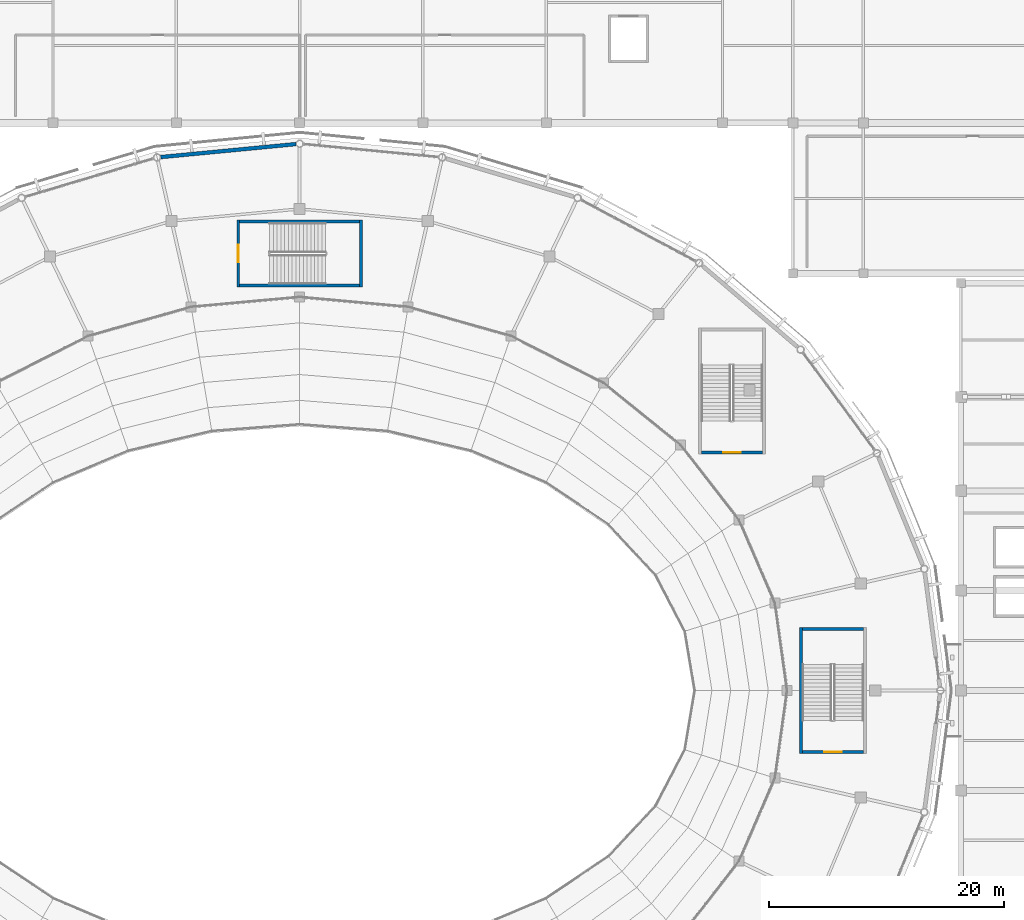
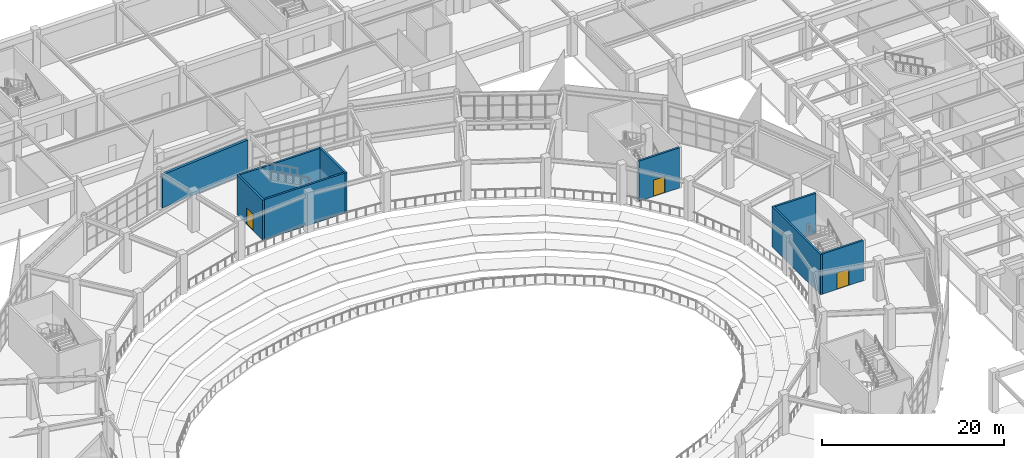
# One storey, part 79 of 120: 9 walls, 3 doors, 3 openings.
"""IFC4 building model written with IfcOpenShell, lengths in metres."""

from ifc_helpers import new_model, si_unit, direction, frame, frame_2d, origin, place, context, subcontext, project, spatial, rectangle, extrude, material, layer, layer_set, type_object, element, fill, save


model = new_model("IFC4")

# Units and contexts
model_context = context("Model", 3, precision=1e-05, world=origin(), true_north=direction((0.0, 1.0)))
body_context = subcontext(model_context, "Body", "Model", "MODEL_VIEW")
ifc_project = project(units=[si_unit("LENGTHUNIT", "METRE"), si_unit("AREAUNIT", "SQUARE_METRE"), si_unit("VOLUMEUNIT", "CUBIC_METRE"), si_unit("PLANEANGLEUNIT", "RADIAN"), si_unit("MASSUNIT", "GRAM", prefix="KILO")], contexts=[model_context])

# Site, building, storey
site_placement = place(None, origin())
site = spatial("IfcSite", under=ifc_project, at=site_placement, CompositionType="ELEMENT")
building_placement = place(site_placement, origin())
building = spatial("IfcBuilding", under=site, at=building_placement, Name="Cuetzalor Civic Arena", CompositionType="ELEMENT")
storey_placement = place(building_placement, frame((0.0, 0.0, 6.0)))
storey = spatial("IfcBuildingStorey", under=building, at=storey_placement, Name="L01", CompositionType="ELEMENT", Elevation=6.0)

# Walls
ifc_material_1 = material(Name="Concrete C40/50", Category="concrete")
ifc_layer_1 = layer(ifc_material_1, 0.25)
ifc_layer_set_1 = layer_set([ifc_layer_1], Name="Concrete C40/50")
wall_type_1 = type_object("IfcWallType", Name="ConcreteCoreShearWall_250", PredefinedType="SHEAR", material=ifc_layer_set_1)
wall_1_placement = place(storey_placement, frame((42.675048828125, -5.35009765625, 0.0), z_axis=(0.0, 0.0, 1.0), x_axis=(0.0, 1.0, 0.0)))
element("IfcWall", 1, at=wall_1_placement, inside=storey, type_object=wall_type_1, Name="Stair Core Shear Wall ST-01-L01-W", PredefinedType="SHEAR", context=body_context, shape_type="SweptSolid", body=[
    extrude(rectangle(XDim=10.7001953125, YDim=0.25, at=frame_2d((5.35009765625, 0.0))), origin(), (0.0, 0.0, 1.0), 5.39990234375),
])
wall_2_placement = place(storey_placement, frame((42.800048828125, 5.22509765625, 0.0), z_axis=(0.0, 0.0, 1.0), x_axis=(1.0, 0.0, 0.0)))
element("IfcWall", 2, at=wall_2_placement, inside=storey, type_object=wall_type_1, Name="Stair Core Shear Wall ST-01-L01-N", PredefinedType="SHEAR", context=body_context, shape_type="SweptSolid", body=[
    extrude(rectangle(XDim=5.199951171875, YDim=0.25, at=frame_2d((2.60009765625, 0.0))), origin(), (0.0, 0.0, 1.0), 5.39990234375),
])

# Wall, opening, door
wall_3_placement = place(storey_placement, frame((48.0, -5.22509765625, 0.0), z_axis=(0.0, 0.0, 1.0), x_axis=(-1.0, 0.0, 0.0)))
wall_3 = element("IfcWall", 3, at=wall_3_placement, inside=storey, type_object=wall_type_1, Name="Stair Core Shear Wall ST-01-L01-S", PredefinedType="SHEAR", context=body_context, shape_type="SweptSolid", body=[
    extrude(rectangle(XDim=5.199951171875, YDim=0.25, at=frame_2d((2.60009765625, 0.0))), origin(), (0.0, 0.0, 1.0), 5.39990234375),
])
opening_1_placement = place(wall_3_placement, frame((1.85009765625, 0.0, 0.0)))
opening_1 = element("IfcOpeningElement", 4, at=opening_1_placement, cuts=wall_3, Name="Opening FD-03", PredefinedType="OPENING", context=body_context, shape_type="SweptSolid", body=[
    extrude(rectangle(XDim=1.5, YDim=2.199951171875, at=frame_2d((0.75, 1.10009765625))), frame((0.0, 0.135009765625, 0.0), z_axis=(0.0, -1.0, 0.0), x_axis=(1.0, 0.0, 0.0)), (0.0, 0.0, 1.0), 0.27001953125),
])
ifc_material_2 = material(Name="Fire-rated steel stair exit double door", Category="steel")
door_type = type_object("IfcDoorType", Name="StairFireDoubleDoor_1500x2200", OperationType="DOUBLE_DOOR_SINGLE_SWING", PredefinedType="DOOR", material=ifc_material_2)
door_1_placement = place(opening_1_placement, origin())
door_1 = element("IfcDoor", 5, at=door_1_placement, inside=storey, type_object=door_type, Name="Fire Stair Door ST-01 L01", OperationType="DOUBLE_DOOR_SINGLE_SWING", OverallHeight=2.199951171875, OverallWidth=1.5, PredefinedType="DOOR", context=body_context, shape_type="SweptSolid", body=[
    extrude(rectangle(XDim=1.5, YDim=2.199951171875, at=frame_2d((0.75, 1.10009765625))), frame((0.0, 0.02490234375, 0.0), z_axis=(0.0, -1.0, 0.0), x_axis=(1.0, 0.0, 0.0)), (0.0, 0.0, 1.0), 0.050048828125),
])
fill(opening_1, door_1)

wall_4_placement = place(storey_placement, frame((39.39990234375, 20.27490234375, 0.0), z_axis=(0.0, 0.0, 1.0), x_axis=(-1.0, 0.0, 0.0)))
wall_4 = element("IfcWall", 6, at=wall_4_placement, inside=storey, type_object=wall_type_1, Name="Stair Core Shear Wall ST-02-L01-S", PredefinedType="SHEAR", context=body_context, shape_type="SweptSolid", body=[
    extrude(rectangle(XDim=5.199951171875, YDim=0.25, at=frame_2d((2.60009765625, 0.0))), origin(), (0.0, 0.0, 1.0), 5.39990234375),
])
opening_2_placement = place(wall_4_placement, frame((1.85009765625, 0.0, 0.0)))
opening_2 = element("IfcOpeningElement", 7, at=opening_2_placement, cuts=wall_4, Name="Opening FD-03", PredefinedType="OPENING", context=body_context, shape_type="SweptSolid", body=[
    extrude(rectangle(XDim=1.5, YDim=2.199951171875, at=frame_2d((0.75, 1.10009765625))), frame((0.0, 0.135009765625, 0.0), z_axis=(0.0, -1.0, 0.0), x_axis=(1.0, 0.0, 0.0)), (0.0, 0.0, 1.0), 0.27001953125),
])
door_2_placement = place(opening_2_placement, origin())
door_2 = element("IfcDoor", 8, at=door_2_placement, inside=storey, type_object=door_type, Name="Fire Stair Door ST-02 L01", OperationType="DOUBLE_DOOR_SINGLE_SWING", OverallHeight=2.199951171875, OverallWidth=1.5, PredefinedType="DOOR", context=body_context, shape_type="SweptSolid", body=[
    extrude(rectangle(XDim=1.5, YDim=2.199951171875, at=frame_2d((0.75, 1.10009765625))), frame((0.0, 0.02490234375, 0.0), z_axis=(0.0, -1.0, 0.0), x_axis=(1.0, 0.0, 0.0)), (0.0, 0.0, 1.0), 0.050048828125),
])
fill(opening_2, door_2)

wall_5_placement = place(storey_placement, frame((-5.22509765625, 34.35009765625, 0.0), z_axis=(0.0, 0.0, 1.0), x_axis=(0.0, 1.0, 0.0)))
wall_5 = element("IfcWall", 9, at=wall_5_placement, inside=storey, type_object=wall_type_1, Name="Stair Core Shear Wall ST-03-L01-W", PredefinedType="SHEAR", context=body_context, shape_type="SweptSolid", body=[
    extrude(rectangle(XDim=5.699951171875, YDim=0.25, at=frame_2d((2.85009765625, 0.0))), origin(), (0.0, 0.0, 1.0), 5.39990234375),
])
opening_3_placement = place(wall_5_placement, frame((2.10009765625, 0.0, 0.0)))
opening_3 = element("IfcOpeningElement", 10, at=opening_3_placement, cuts=wall_5, Name="Opening FD-03", PredefinedType="OPENING", context=body_context, shape_type="SweptSolid", body=[
    extrude(rectangle(XDim=1.5, YDim=2.199951171875, at=frame_2d((0.75, 1.10009765625))), frame((0.0, 0.135009765625, 0.0), z_axis=(0.0, -1.0, 0.0), x_axis=(1.0, 0.0, 0.0)), (0.0, 0.0, 1.0), 0.27001953125),
])
door_3_placement = place(opening_3_placement, origin())
door_3 = element("IfcDoor", 11, at=door_3_placement, inside=storey, type_object=door_type, Name="Fire Stair Door ST-03 L01", OperationType="DOUBLE_DOOR_SINGLE_SWING", OverallHeight=2.199951171875, OverallWidth=1.5, PredefinedType="DOOR", context=body_context, shape_type="SweptSolid", body=[
    extrude(rectangle(XDim=1.5, YDim=2.199951171875, at=frame_2d((0.75, 1.10009765625))), frame((0.0, 0.02490234375, 0.0), z_axis=(0.0, -1.0, 0.0), x_axis=(1.0, 0.0, 0.0)), (0.0, 0.0, 1.0), 0.050048828125),
])
fill(opening_3, door_3)

# Walls
wall_6_placement = place(storey_placement, frame((-5.10009765625, 39.925048828125, 0.0), z_axis=(0.0, 0.0, 1.0), x_axis=(1.0, 0.0, 0.0)))
element("IfcWall", 12, at=wall_6_placement, inside=storey, type_object=wall_type_1, Name="Stair Core Shear Wall ST-03-L01-N", PredefinedType="SHEAR", context=body_context, shape_type="SweptSolid", body=[
    extrude(rectangle(XDim=10.2001953125, YDim=0.25, at=frame_2d((5.10009765625, 0.0))), origin(), (0.0, 0.0, 1.0), 5.39990234375),
])
wall_7_placement = place(storey_placement, frame((5.22509765625, 40.050048828125, 0.0), z_axis=(0.0, 0.0, 1.0), x_axis=(0.0, -1.0, 0.0)))
element("IfcWall", 13, at=wall_7_placement, inside=storey, type_object=wall_type_1, Name="Stair Core Shear Wall ST-03-L01-E", PredefinedType="SHEAR", context=body_context, shape_type="SweptSolid", body=[
    extrude(rectangle(XDim=5.699951171875, YDim=0.25, at=frame_2d((2.85009765625, 0.0))), origin(), (0.0, 0.0, 1.0), 5.39990234375),
])
wall_8_placement = place(storey_placement, frame((5.10009765625, 34.47509765625, 0.0), z_axis=(0.0, 0.0, 1.0), x_axis=(-1.0, 0.0, 0.0)))
element("IfcWall", 14, at=wall_8_placement, inside=storey, type_object=wall_type_1, Name="Stair Core Shear Wall ST-03-L01-S", PredefinedType="SHEAR", context=body_context, shape_type="SweptSolid", body=[
    extrude(rectangle(XDim=10.2001953125, YDim=0.25, at=frame_2d((5.10009765625, 0.0))), origin(), (0.0, 0.0, 1.0), 5.39990234375),
])
ifc_material_3 = material(Name="Precast concrete C40/50 insulated cladding", Category="concrete")
ifc_layer_2 = layer(ifc_material_3, 0.320068359375)
ifc_layer_set_2 = layer_set([ifc_layer_2], Name="Precast concrete C40/50 insulated cladding")
wall_type_2 = type_object("IfcWallType", Name="InsulatedPrecastWall_320", PredefinedType="SOLIDWALL", material=ifc_layer_set_2)
wall_9_placement = place(storey_placement, frame((-11.8251953125, 45.4130859375, 0.0), z_axis=(0.0, 0.0, 1.0), x_axis=(0.995408913067, 0.095713613383, 0.0)))
element("IfcWall", 15, at=wall_9_placement, inside=storey, type_object=wall_type_2, Name="Drum Acoustic Backing Wall L01-013", PredefinedType="SOLIDWALL", context=body_context, shape_type="SweptSolid", body=[
    extrude(rectangle(XDim=11.56494140625, YDim=0.320068359375, at=frame_2d((5.782470703125, 0.0))), origin(), (0.0, 0.0, 1.0), 4.431884765625),
])

save(model, "model.ifc")
